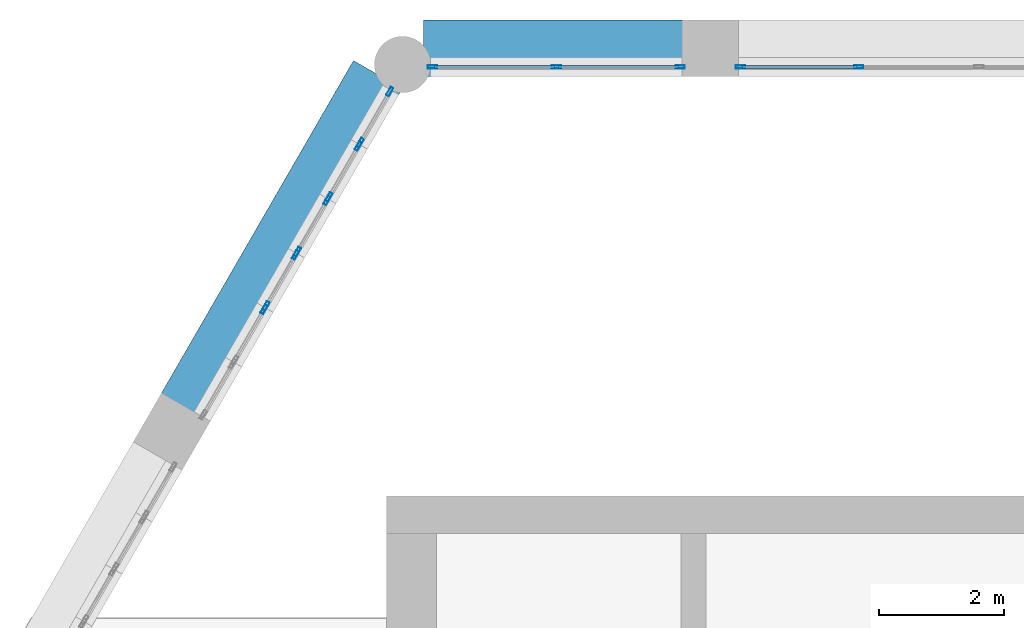
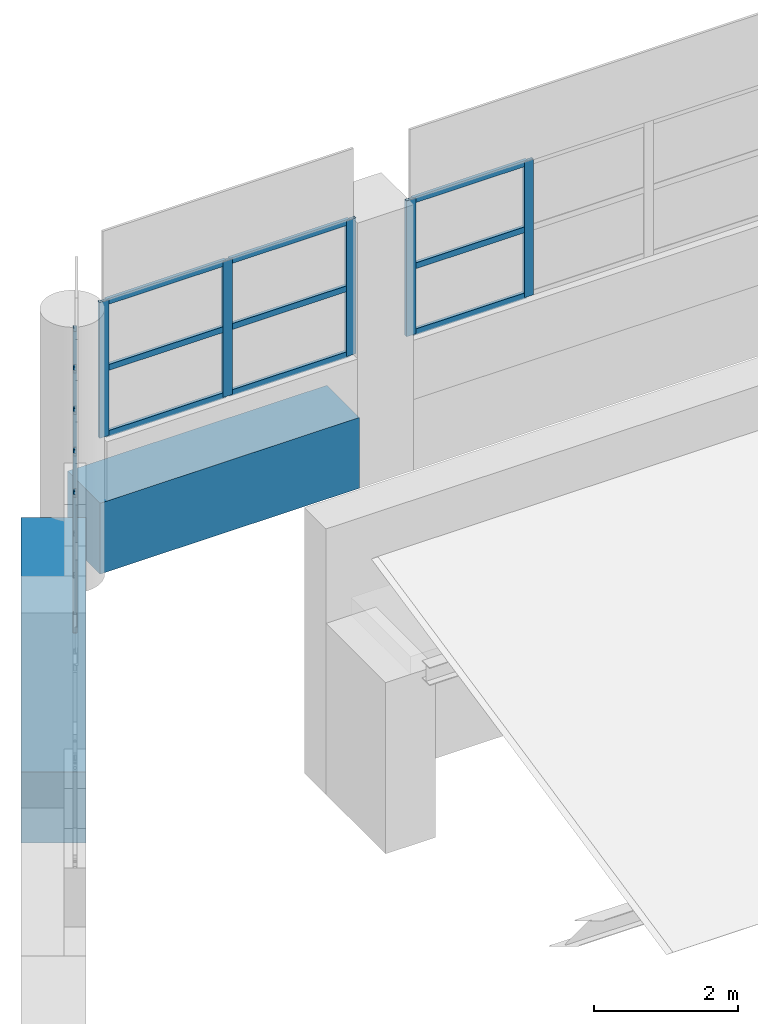
# One storey, part 4 of 11: 23 members, 2 beams, 7 elements without a shape of their own.
"""IFC4 building model written with IfcOpenShell, lengths in metres."""

from ifc_helpers import new_model, si_unit, direction, frame, origin, origin_2d, place, context, subcontext, project, spatial, rectangle, hollow_rectangle, extrude, material, material_profile, profile_set, type_object, element, aggregate, save


model = new_model("IFC4")

# Units and contexts
model_context = context("Model", 3, precision=1e-05, world=origin(), true_north=direction((0.0, 1.0)))
body_context = subcontext(model_context, "Body", "Model", "MODEL_VIEW")
ifc_project = project(units=[si_unit("LENGTHUNIT", "METRE"), si_unit("AREAUNIT", "SQUARE_METRE"), si_unit("VOLUMEUNIT", "CUBIC_METRE"), si_unit("PLANEANGLEUNIT", "RADIAN"), si_unit("MASSUNIT", "GRAM", prefix="KILO")], contexts=[model_context])

# Site, building, storey
site_placement = place(None, origin())
site = spatial("IfcSite", under=ifc_project, at=site_placement, CompositionType="ELEMENT")
building_placement = place(site_placement, origin())
building = spatial("IfcBuilding", under=site, at=building_placement, Name="Ostrander Bayou Hotel Tower", CompositionType="ELEMENT")
storey_placement = place(building_placement, frame((0.0, 0.0, 293.0)))
storey = spatial("IfcBuildingStorey", under=building, at=storey_placement, Name="Roof 72", CompositionType="ELEMENT", Elevation=293.0)

# Curtain wall, members
ifc_material_1 = material(Name="Aluminium and clear glass", Category="aluminium")
curtain_wall_type = type_object("IfcCurtainWallType", Name="CW-CROWN glazed wall", PredefinedType="NOTDEFINED", material=ifc_material_1)
curtain_wall_1_placement = place(storey_placement, origin())
curtain_wall_1 = element("IfcCurtainWall", 1, at=curtain_wall_1_placement, inside=storey, type_object=curtain_wall_type, Name="CW-CROWN L72:N-2", PredefinedType="NOTDEFINED")
ifc_material_2 = material(Name="Aluminium", Category="aluminium")
ifc_material_profile_1 = material_profile(ifc_material_2, hollow_rectangle(XDim=0.050048828125, YDim=0.14990234375, WallThickness=0.00390625, at=origin_2d()))
ifc_profile_set_1 = profile_set([ifc_material_profile_1], Name="Aluminium")
member_type_1 = type_object("IfcMemberType", Name="CW-CR mullion 50 x 150 mm", PredefinedType="MULLION", material=ifc_profile_set_1)
member_1_placement = place(storey_placement, frame((-0.959716796875, 16.550048828125, 1.0), z_axis=(0.0, 0.0, 1.0), x_axis=(0.0, -1.0, 0.0)))
member_1 = element("IfcMember", 2, at=member_1_placement, type_object=member_type_1, Name="CW-CROWN mullion 3", PredefinedType="MULLION", context=body_context, shape_type="SweptSolid", body=[
    extrude(hollow_rectangle(XDim=0.050048828125, YDim=0.14990234375, WallThickness=0.00390625, at=origin_2d()), origin(), (0.0, 0.0, 1.0), 2.300048828125),
])
member_2_placement = place(storey_placement, frame((-2.849365234375, 16.550048828125, 1.0), z_axis=(0.0, 0.0, 1.0), x_axis=(0.0, -1.0, 0.0)))
member_2 = element("IfcMember", 3, at=member_2_placement, type_object=member_type_1, Name="CW-CROWN mullion 4", PredefinedType="MULLION", context=body_context, shape_type="SweptSolid", body=[
    extrude(hollow_rectangle(XDim=0.050048828125, YDim=0.14990234375, WallThickness=0.00390625, at=origin_2d()), origin(), (0.0, 0.0, 1.0), 2.300048828125),
])

curtain_wall_2_placement = place(storey_placement, origin())
curtain_wall_2 = element("IfcCurtainWall", 4, at=curtain_wall_2_placement, inside=storey, type_object=curtain_wall_type, Name="CW-CROWN L72:N-3", PredefinedType="NOTDEFINED")
member_3_placement = place(storey_placement, frame((-3.809326171875, 16.550048828125, 1.0), z_axis=(0.0, 0.0, 1.0), x_axis=(0.0, -1.0, 0.0)))
member_3 = element("IfcMember", 5, at=member_3_placement, type_object=member_type_1, Name="CW-CROWN mullion 1", PredefinedType="MULLION", context=body_context, shape_type="SweptSolid", body=[
    extrude(hollow_rectangle(XDim=0.050048828125, YDim=0.14990234375, WallThickness=0.00390625, at=origin_2d()), origin(), (0.0, 0.0, 1.0), 2.300048828125),
])
member_4_placement = place(storey_placement, frame((-5.78759765625, 16.550048828125, 1.0), z_axis=(0.0, 0.0, 1.0), x_axis=(0.0, -1.0, 0.0)))
member_4 = element("IfcMember", 6, at=member_4_placement, type_object=member_type_1, Name="CW-CROWN mullion 2", PredefinedType="MULLION", context=body_context, shape_type="SweptSolid", body=[
    extrude(hollow_rectangle(XDim=0.050048828125, YDim=0.14990234375, WallThickness=0.00390625, at=origin_2d()), origin(), (0.0, 0.0, 1.0), 2.300048828125),
])
member_5_placement = place(storey_placement, frame((-7.765869140625, 16.550048828125, 1.0), z_axis=(0.0, 0.0, 1.0), x_axis=(0.0, -1.0, 0.0)))
member_5 = element("IfcMember", 7, at=member_5_placement, type_object=member_type_1, Name="CW-CROWN mullion 3", PredefinedType="MULLION", context=body_context, shape_type="SweptSolid", body=[
    extrude(hollow_rectangle(XDim=0.050048828125, YDim=0.14990234375, WallThickness=0.00390625, at=origin_2d()), origin(), (0.0, 0.0, 1.0), 2.300048828125),
])

curtain_wall_3_placement = place(storey_placement, origin())
curtain_wall_3 = element("IfcCurtainWall", 8, at=curtain_wall_3_placement, inside=storey, type_object=curtain_wall_type, Name="CW-CROWN L72:NW-1-1", PredefinedType="NOTDEFINED")
member_6_placement = place(storey_placement, frame((-8.447021484375, 16.156494140625, 1.0), z_axis=(0.0, 0.0, 1.0), x_axis=(0.866026229865, -0.499998569184, 0.0)))
member_6 = element("IfcMember", 9, at=member_6_placement, type_object=member_type_1, Name="CW-CROWN mullion 1", PredefinedType="MULLION", context=body_context, shape_type="SweptSolid", body=[
    extrude(hollow_rectangle(XDim=0.050048828125, YDim=0.14990234375, WallThickness=0.00390625, at=origin_2d()), origin(), (0.0, 0.0, 1.0), 2.300048828125),
])
member_7_placement = place(storey_placement, frame((-8.918701171875, 15.339599609375, 1.0), z_axis=(0.0, 0.0, 1.0), x_axis=(0.866026229865, -0.499998569184, 0.0)))
member_7 = element("IfcMember", 10, at=member_7_placement, type_object=member_type_1, Name="CW-CROWN mullion 2", PredefinedType="MULLION", context=body_context, shape_type="SweptSolid", body=[
    extrude(hollow_rectangle(XDim=0.050048828125, YDim=0.14990234375, WallThickness=0.00390625, at=origin_2d()), origin(), (0.0, 0.0, 1.0), 2.300048828125),
])
aggregate(curtain_wall_3, [member_6, member_7])

curtain_wall_4_placement = place(storey_placement, origin())
curtain_wall_4 = element("IfcCurtainWall", 11, at=curtain_wall_4_placement, inside=storey, type_object=curtain_wall_type, Name="CW-CROWN L72:NW-1-2", PredefinedType="NOTDEFINED")
member_8_placement = place(storey_placement, frame((-8.948486328125, 15.28759765625, 1.0), z_axis=(0.0, 0.0, 1.0), x_axis=(0.866001306597, -0.50004173523, 0.0)))
member_8 = element("IfcMember", 12, at=member_8_placement, type_object=member_type_1, Name="CW-CROWN mullion 1", PredefinedType="MULLION", context=body_context, shape_type="SweptSolid", body=[
    extrude(hollow_rectangle(XDim=0.050048828125, YDim=0.14990234375, WallThickness=0.00390625, at=origin_2d()), origin(), (0.0, 0.0, 1.0), 2.300048828125),
])
member_9_placement = place(storey_placement, frame((-9.420166015625, 14.470947265625, 1.0), z_axis=(0.0, 0.0, 1.0), x_axis=(0.866001306597, -0.50004173523, 0.0)))
member_9 = element("IfcMember", 13, at=member_9_placement, type_object=member_type_1, Name="CW-CROWN mullion 2", PredefinedType="MULLION", context=body_context, shape_type="SweptSolid", body=[
    extrude(hollow_rectangle(XDim=0.050048828125, YDim=0.14990234375, WallThickness=0.00390625, at=origin_2d()), origin(), (0.0, 0.0, 1.0), 2.300048828125),
])
aggregate(curtain_wall_4, [member_8, member_9])

curtain_wall_5_placement = place(storey_placement, origin())
curtain_wall_5 = element("IfcCurtainWall", 14, at=curtain_wall_5_placement, inside=storey, type_object=curtain_wall_type, Name="CW-CROWN L72:NW-1-3", PredefinedType="NOTDEFINED")
member_10_placement = place(storey_placement, frame((-9.4501953125, 14.4189453125, 1.0), z_axis=(0.0, 0.0, 1.0), x_axis=(0.866026229865, -0.499998569184, 0.0)))
member_10 = element("IfcMember", 15, at=member_10_placement, type_object=member_type_1, Name="CW-CROWN mullion 1", PredefinedType="MULLION", context=body_context, shape_type="SweptSolid", body=[
    extrude(hollow_rectangle(XDim=0.050048828125, YDim=0.14990234375, WallThickness=0.00390625, at=origin_2d()), origin(), (0.0, 0.0, 1.0), 2.300048828125),
])
member_11_placement = place(storey_placement, frame((-9.921875, 13.60205078125, 1.0), z_axis=(0.0, 0.0, 1.0), x_axis=(0.866026229865, -0.499998569184, 0.0)))
member_11 = element("IfcMember", 16, at=member_11_placement, type_object=member_type_1, Name="CW-CROWN mullion 2", PredefinedType="MULLION", context=body_context, shape_type="SweptSolid", body=[
    extrude(hollow_rectangle(XDim=0.050048828125, YDim=0.14990234375, WallThickness=0.00390625, at=origin_2d()), origin(), (0.0, 0.0, 1.0), 2.300048828125),
])
aggregate(curtain_wall_5, [member_10, member_11])

curtain_wall_6_placement = place(storey_placement, origin())
curtain_wall_6 = element("IfcCurtainWall", 17, at=curtain_wall_6_placement, inside=storey, type_object=curtain_wall_type, Name="CW-CROWN L72:NW-1-4", PredefinedType="NOTDEFINED")
member_12_placement = place(storey_placement, frame((-9.951904296875, 13.550048828125, 1.0), z_axis=(0.0, 0.0, 1.0), x_axis=(0.866069391736, -0.499923802893, 0.0)))
member_12 = element("IfcMember", 18, at=member_12_placement, type_object=member_type_1, Name="CW-CROWN mullion 1", PredefinedType="MULLION", context=body_context, shape_type="SweptSolid", body=[
    extrude(hollow_rectangle(XDim=0.050048828125, YDim=0.14990234375, WallThickness=0.00390625, at=origin_2d()), origin(), (0.0, 0.0, 1.0), 2.300048828125),
])
member_13_placement = place(storey_placement, frame((-10.42333984375, 12.7333984375, 1.0), z_axis=(0.0, 0.0, 1.0), x_axis=(0.866069391736, -0.499923802893, 0.0)))
member_13 = element("IfcMember", 19, at=member_13_placement, type_object=member_type_1, Name="CW-CROWN mullion 2", PredefinedType="MULLION", context=body_context, shape_type="SweptSolid", body=[
    extrude(hollow_rectangle(XDim=0.050048828125, YDim=0.14990234375, WallThickness=0.00390625, at=origin_2d()), origin(), (0.0, 0.0, 1.0), 2.300048828125),
])
aggregate(curtain_wall_6, [member_12, member_13])

# Curtain wall, member
curtain_wall_7_placement = place(storey_placement, origin())
curtain_wall_7 = element("IfcCurtainWall", 20, at=curtain_wall_7_placement, inside=storey, type_object=curtain_wall_type, Name="CW-CROWN L72:NW-1-5", PredefinedType="NOTDEFINED")
member_14_placement = place(storey_placement, frame((-10.453369140625, 12.681396484375, 1.0), z_axis=(0.0, 0.0, 1.0), x_axis=(0.866001306597, -0.50004173523, 0.0)))
member_14 = element("IfcMember", 21, at=member_14_placement, type_object=member_type_1, Name="CW-CROWN mullion 1", PredefinedType="MULLION", context=body_context, shape_type="SweptSolid", body=[
    extrude(hollow_rectangle(XDim=0.050048828125, YDim=0.14990234375, WallThickness=0.00390625, at=origin_2d()), origin(), (0.0, 0.0, 1.0), 2.300048828125),
])
aggregate(curtain_wall_7, [member_14])

# Member
ifc_material_3 = material(Name="Aluminium", Category="aluminium")
ifc_material_profile_2 = material_profile(ifc_material_3, hollow_rectangle(XDim=0.050048828125, YDim=0.10009765625, WallThickness=0.00390625, at=origin_2d()))
ifc_profile_set_2 = profile_set([ifc_material_profile_2], Name="Aluminium")
member_type_2 = type_object("IfcMemberType", Name="CW-CR transom 50 x 100 mm", PredefinedType="USERDEFINED", material=ifc_profile_set_2)
member_15_placement = place(storey_placement, frame((-0.98974609375, 16.550048828125, 1.030029296875), z_axis=(-1.0, 0.0, 0.0), x_axis=(0.0, -1.0, 0.0)))
member_15 = element("IfcMember", 22, at=member_15_placement, type_object=member_type_2, Name="CW-CROWN transom 3.1", ObjectType="TRANSOM", PredefinedType="USERDEFINED", context=body_context, shape_type="SweptSolid", body=[
    extrude(hollow_rectangle(XDim=0.050048828125, YDim=0.10009765625, WallThickness=0.00390625, at=origin_2d()), origin(), (0.0, 0.0, 1.0), 1.82958984375),
])

member_16_placement = place(storey_placement, frame((-0.98974609375, 16.550048828125, 2.14990234375), z_axis=(-1.0, 0.0, 0.0), x_axis=(0.0, -1.0, 0.0)))
member_16 = element("IfcMember", 23, at=member_16_placement, type_object=member_type_2, Name="CW-CROWN transom 3.2", ObjectType="TRANSOM", PredefinedType="USERDEFINED", context=body_context, shape_type="SweptSolid", body=[
    extrude(hollow_rectangle(XDim=0.050048828125, YDim=0.10009765625, WallThickness=0.00390625, at=origin_2d()), origin(), (0.0, 0.0, 1.0), 1.82958984375),
])

member_17_placement = place(storey_placement, frame((-0.98974609375, 16.550048828125, 3.27001953125), z_axis=(-1.0, 0.0, 0.0), x_axis=(0.0, -1.0, 0.0)))
member_17 = element("IfcMember", 24, at=member_17_placement, type_object=member_type_2, Name="CW-CROWN transom 3.3", ObjectType="TRANSOM", PredefinedType="USERDEFINED", context=body_context, shape_type="SweptSolid", body=[
    extrude(hollow_rectangle(XDim=0.050048828125, YDim=0.10009765625, WallThickness=0.00390625, at=origin_2d()), origin(), (0.0, 0.0, 1.0), 1.82958984375),
])

aggregate(curtain_wall_1, [member_1, member_2, member_15, member_16, member_17])

member_18_placement = place(storey_placement, frame((-3.83935546875, 16.550048828125, 1.030029296875), z_axis=(-1.0, 0.0, 0.0), x_axis=(0.0, -1.0, 0.0)))
member_18 = element("IfcMember", 25, at=member_18_placement, type_object=member_type_2, Name="CW-CROWN transom 1.1", ObjectType="TRANSOM", PredefinedType="USERDEFINED", context=body_context, shape_type="SweptSolid", body=[
    extrude(hollow_rectangle(XDim=0.050048828125, YDim=0.10009765625, WallThickness=0.00390625, at=origin_2d()), origin(), (0.0, 0.0, 1.0), 1.918212890625),
])

member_19_placement = place(storey_placement, frame((-3.83935546875, 16.550048828125, 2.14990234375), z_axis=(-1.0, 0.0, 0.0), x_axis=(0.0, -1.0, 0.0)))
member_19 = element("IfcMember", 26, at=member_19_placement, type_object=member_type_2, Name="CW-CROWN transom 1.2", ObjectType="TRANSOM", PredefinedType="USERDEFINED", context=body_context, shape_type="SweptSolid", body=[
    extrude(hollow_rectangle(XDim=0.050048828125, YDim=0.10009765625, WallThickness=0.00390625, at=origin_2d()), origin(), (0.0, 0.0, 1.0), 1.918212890625),
])

member_20_placement = place(storey_placement, frame((-3.83935546875, 16.550048828125, 3.27001953125), z_axis=(-1.0, 0.0, 0.0), x_axis=(0.0, -1.0, 0.0)))
member_20 = element("IfcMember", 27, at=member_20_placement, type_object=member_type_2, Name="CW-CROWN transom 1.3", ObjectType="TRANSOM", PredefinedType="USERDEFINED", context=body_context, shape_type="SweptSolid", body=[
    extrude(hollow_rectangle(XDim=0.050048828125, YDim=0.10009765625, WallThickness=0.00390625, at=origin_2d()), origin(), (0.0, 0.0, 1.0), 1.918212890625),
])

member_21_placement = place(storey_placement, frame((-5.817626953125, 16.550048828125, 1.030029296875), z_axis=(-1.0, 0.0, 0.0), x_axis=(0.0, -1.0, 0.0)))
member_21 = element("IfcMember", 28, at=member_21_placement, type_object=member_type_2, Name="CW-CROWN transom 2.1", ObjectType="TRANSOM", PredefinedType="USERDEFINED", context=body_context, shape_type="SweptSolid", body=[
    extrude(hollow_rectangle(XDim=0.050048828125, YDim=0.10009765625, WallThickness=0.00390625, at=origin_2d()), origin(), (0.0, 0.0, 1.0), 1.918212890625),
])

member_22_placement = place(storey_placement, frame((-5.817626953125, 16.550048828125, 2.14990234375), z_axis=(-1.0, 0.0, 0.0), x_axis=(0.0, -1.0, 0.0)))
member_22 = element("IfcMember", 29, at=member_22_placement, type_object=member_type_2, Name="CW-CROWN transom 2.2", ObjectType="TRANSOM", PredefinedType="USERDEFINED", context=body_context, shape_type="SweptSolid", body=[
    extrude(hollow_rectangle(XDim=0.050048828125, YDim=0.10009765625, WallThickness=0.00390625, at=origin_2d()), origin(), (0.0, 0.0, 1.0), 1.918212890625),
])

member_23_placement = place(storey_placement, frame((-5.817626953125, 16.550048828125, 3.27001953125), z_axis=(-1.0, 0.0, 0.0), x_axis=(0.0, -1.0, 0.0)))
member_23 = element("IfcMember", 30, at=member_23_placement, type_object=member_type_2, Name="CW-CROWN transom 2.3", ObjectType="TRANSOM", PredefinedType="USERDEFINED", context=body_context, shape_type="SweptSolid", body=[
    extrude(hollow_rectangle(XDim=0.050048828125, YDim=0.10009765625, WallThickness=0.00390625, at=origin_2d()), origin(), (0.0, 0.0, 1.0), 1.918212890625),
])

aggregate(curtain_wall_2, [member_3, member_4, member_5, member_18, member_19, member_20, member_21, member_22, member_23])

# Beams
ifc_material_4 = material(Name="Concrete f'c 60 MPa", Category="concrete")
ifc_material_profile_3 = material_profile(ifc_material_4, rectangle(XDim=0.89990234375, YDim=1.199951171875, at=origin_2d()))
ifc_profile_set_3 = profile_set([ifc_material_profile_3], Name="Concrete f'c 60 MPa")
beam_type = type_object("IfcBeamType", Name="SP4 spandrel beam 900 x 1200 mm f'c 60 MPa", PredefinedType="SPANDREL", material=ifc_profile_set_3)
beam_1_placement = place(storey_placement, frame((-3.74951171875, 16.85009765625, -0.60009765625), z_axis=(-1.0, 0.0, 0.0), x_axis=(0.0, -1.0, 0.0)))
element("IfcBeam", 31, at=beam_1_placement, inside=storey, type_object=beam_type, Name="SP4 L72 N-3", PredefinedType="SPANDREL", context=body_context, shape_type="SweptSolid", body=[
    extrude(rectangle(XDim=0.89990234375, YDim=1.199951171875, at=origin_2d()), origin(), (0.0, 0.0, 1.0), 4.15625),
])
beam_2_placement = place(storey_placement, frame((-8.63671875, 16.427978515625, -0.60009765625), z_axis=(-0.499984362083, -0.866034432152, 0.0), x_axis=(0.866034432152, -0.499984362083, 0.0)))
element("IfcBeam", 32, at=beam_2_placement, inside=storey, type_object=beam_type, Name="SP4 L72 NW-1", PredefinedType="SPANDREL", context=body_context, shape_type="SweptSolid", body=[
    extrude(rectangle(XDim=0.89990234375, YDim=1.199951171875, at=origin_2d()), origin(), (0.0, 0.0, 1.0), 6.159423828125),
])

save(model, "model.ifc")
